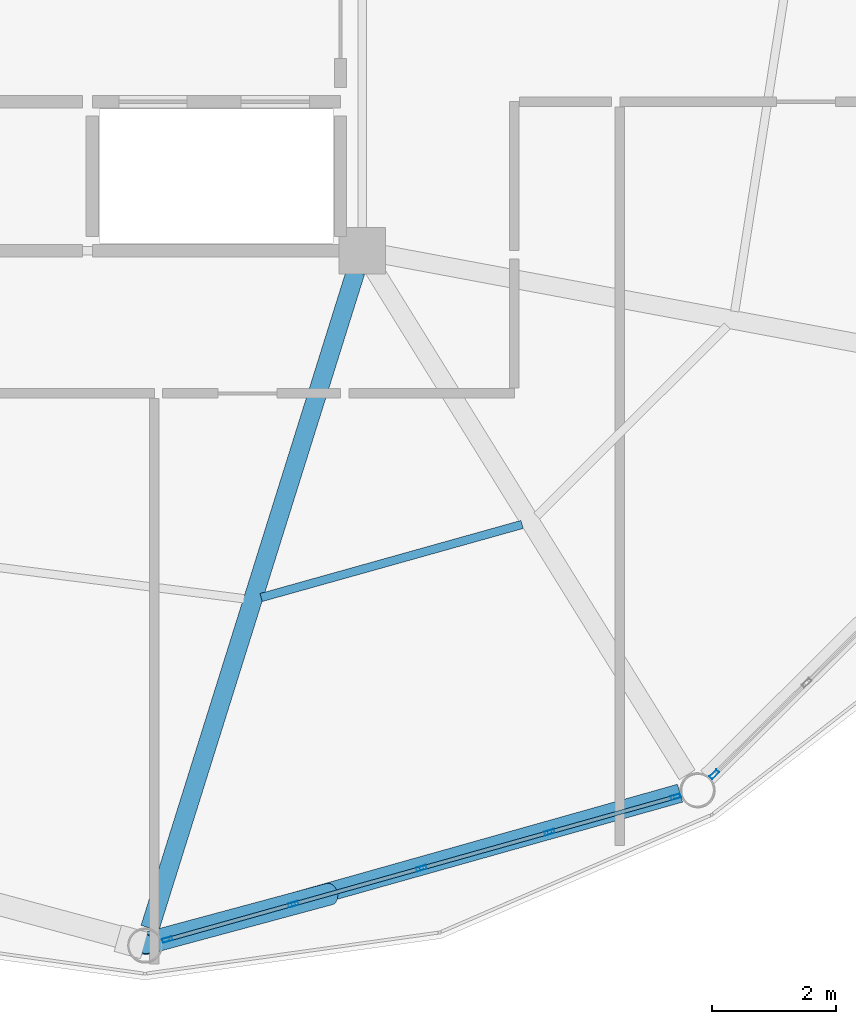
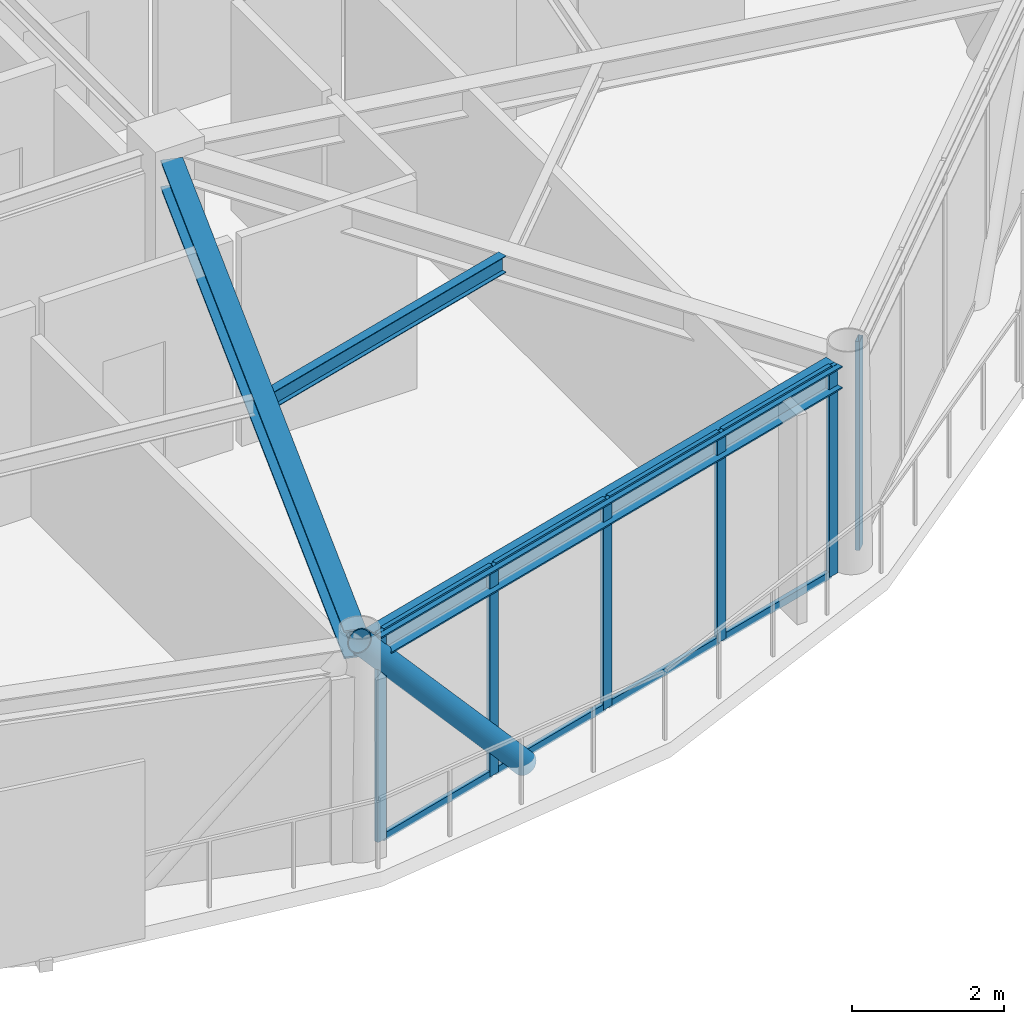
# One storey, part 6 of 25: 15 members, 3 beams, 2 elements without a shape of their own.
"""IFC4 building model written with IfcOpenShell, lengths in metres."""

from ifc_helpers import new_model, si_unit, direction, frame, origin, origin_2d, place, context, subcontext, project, spatial, hollow_rectangle, hollow_circle, i_section, extrude, material, layer, layer_set, material_profile, profile_set, type_object, element, aggregate, save


model = new_model("IFC4")

# Units and contexts
model_context = context("Model", 3, precision=1e-05, world=origin(), true_north=direction((0.0, 1.0)))
body_context = subcontext(model_context, "Body", "Model", "MODEL_VIEW")
ifc_project = project(units=[si_unit("LENGTHUNIT", "METRE"), si_unit("AREAUNIT", "SQUARE_METRE"), si_unit("VOLUMEUNIT", "CUBIC_METRE"), si_unit("PLANEANGLEUNIT", "RADIAN"), si_unit("MASSUNIT", "GRAM", prefix="KILO")], contexts=[model_context])

# Site, building, storey
site_placement = place(None, origin())
site = spatial("IfcSite", under=ifc_project, at=site_placement, CompositionType="ELEMENT")
building_placement = place(site_placement, origin())
building = spatial("IfcBuilding", under=site, at=building_placement, Name="Varnakorn Sky Granary", CompositionType="ELEMENT")
storey_placement = place(building_placement, frame((0.0, 0.0, 277.800048828125)))
storey = spatial("IfcBuildingStorey", under=building, at=storey_placement, Name="L71", CompositionType="ELEMENT", Elevation=277.800048828125)

# Beams
ifc_material_1 = material(Name="Steel S355JR", Category="steel")
ifc_material_profile_1 = material_profile(ifc_material_1, i_section(OverallWidth=0.300048828125, OverallDepth=0.449951171875, WebThickness=0.013916015625, FlangeThickness=0.02587890625, at=origin_2d()), Name="HE 450 B")
ifc_profile_set_1 = profile_set([ifc_material_profile_1], Name="Steel S355JR")
beam_type_1 = type_object("IfcBeamType", Name="BM-RAD-Z5", PredefinedType="BEAM", material=ifc_profile_set_1)
beam_1_placement = place(storey_placement, frame((8.243896484375, -6.938720703125, 3.135009765625), z_axis=(-0.299048709753, -0.954237847287, 0.0), x_axis=(0.954237847287, -0.299048709753, 0.0)))
element("IfcBeam", 1, at=beam_1_placement, inside=storey, type_object=beam_type_1, Name="Radial Floor Girder RG10 L71", PredefinedType="BEAM", context=body_context, shape_type="SweptSolid", body=[
    extrude(i_section(OverallWidth=0.300048828125, OverallDepth=0.449951171875, WebThickness=0.013916015625, FlangeThickness=0.02587890625, at=origin_2d()), origin(), (0.0, 0.0, 1.0), 11.084228515625),
])
ifc_material_profile_2 = material_profile(ifc_material_1, i_section(OverallWidth=0.135009765625, OverallDepth=0.27001953125, WebThickness=0.006591796875, FlangeThickness=0.01025390625, at=origin_2d()), Name="IPE 270")
ifc_profile_set_2 = profile_set([ifc_material_profile_2], Name="Steel S355JR")
beam_type_2 = type_object("IfcBeamType", Name="BM-SEC-Z5", PredefinedType="BEAM", material=ifc_profile_set_2)
beam_2_placement = place(storey_placement, frame((6.72119140625, -12.189453125, 3.224853515625), z_axis=(0.96293498421, 0.269733602253, 0.0), x_axis=(-0.269733602253, 0.96293498421, 0.0)))
element("IfcBeam", 2, at=beam_2_placement, inside=storey, type_object=beam_type_2, Name="Secondary Floor Chord Beam MSB10 L71", PredefinedType="BEAM", context=body_context, shape_type="SweptSolid", body=[
    extrude(i_section(OverallWidth=0.135009765625, OverallDepth=0.27001953125, WebThickness=0.006591796875, FlangeThickness=0.01025390625, at=origin_2d()), origin(), (0.0, 0.0, 1.0), 4.3671875),
])
ifc_material_profile_3 = material_profile(ifc_material_1, i_section(OverallWidth=0.300048828125, OverallDepth=0.360107421875, WebThickness=0.012451171875, FlangeThickness=0.0224609375, at=origin_2d()), Name="HE 360 B")
ifc_profile_set_3 = profile_set([ifc_material_profile_3], Name="Steel S355JR")
beam_type_3 = type_object("IfcBeamType", Name="BM-SPD-Z5", PredefinedType="SPANDREL", material=ifc_profile_set_3)
beam_3_placement = place(storey_placement, frame((5.1044921875, -17.6962890625, 3.179931640625), z_axis=(0.962618672341, 0.270860280699, 0.0), x_axis=(-0.270860280699, 0.962618672341, 0.0)))
element("IfcBeam", 3, at=beam_3_placement, inside=storey, type_object=beam_type_3, Name="Perimeter Spandrel Ring Beam RB10 L71", PredefinedType="SPANDREL", context=body_context, shape_type="SweptSolid", body=[
    extrude(i_section(OverallWidth=0.300048828125, OverallDepth=0.360107421875, WebThickness=0.012451171875, FlangeThickness=0.0224609375, at=origin_2d()), origin(), (0.0, 0.0, 1.0), 8.69091796875),
])

# Curtain wall, members
ifc_material_2 = material(Name="Anodised Bronze Aluminium Alloy 6063-T6", Category="aluminium")
ifc_layer = layer(ifc_material_2, 0.159912109375, Name="Anodised Bronze Aluminium Alloy 6063-T6")
ifc_layer_set = layer_set([ifc_layer], Name="Anodised Bronze Aluminium Alloy 6063-T6")
curtain_wall_type = type_object("IfcCurtainWallType", Name="CW-OFF-1", PredefinedType="USERDEFINED", material=ifc_layer_set)
curtain_wall_1_placement = place(storey_placement, origin())
curtain_wall_1 = element("IfcCurtainWall", 4, at=curtain_wall_1_placement, inside=storey, type_object=curtain_wall_type, Name="Unitised Curtain Wall CW6 CW-L71-B10", ObjectType="CURTAIN WALL", PredefinedType="USERDEFINED")
ifc_material_profile_4 = material_profile(ifc_material_2, hollow_rectangle(XDim=0.06494140625, YDim=0.159912109375, WallThickness=0.00341796875, at=origin_2d()), Name="ALU MULL 65x160")
ifc_profile_set_4 = profile_set([ifc_material_profile_4], Name="Anodised Bronze Aluminium Alloy 6063-T6")
member_type_1 = type_object("IfcMemberType", Name="CW-OFF-1-MULL", PredefinedType="MULLION", material=ifc_profile_set_4)
member_1_placement = place(storey_placement, frame((13.40087890625, -15.400634765625, 0.0), z_axis=(0.0, 0.0, 1.0), x_axis=(0.270369994564, -0.962756493637, 0.0)))
member_1 = element("IfcMember", 5, at=member_1_placement, type_object=member_type_1, Name="CW6 mullion 1", PredefinedType="MULLION", context=body_context, shape_type="SweptSolid", body=[
    extrude(hollow_rectangle(XDim=0.06494140625, YDim=0.159912109375, WallThickness=0.00341796875, at=origin_2d()), origin(), (0.0, 0.0, 1.0), 3.35986328125),
])
member_2_placement = place(storey_placement, frame((11.368408203125, -15.971435546875, 0.0), z_axis=(0.0, 0.0, 1.0), x_axis=(0.270369994564, -0.962756493637, 0.0)))
member_2 = element("IfcMember", 6, at=member_2_placement, type_object=member_type_1, Name="CW6 mullion 2", PredefinedType="MULLION", context=body_context, shape_type="SweptSolid", body=[
    extrude(hollow_rectangle(XDim=0.06494140625, YDim=0.159912109375, WallThickness=0.00341796875, at=origin_2d()), origin(), (0.0, 0.0, 1.0), 3.35986328125),
])
member_3_placement = place(storey_placement, frame((9.304443359375, -16.551025390625, 0.0), z_axis=(0.0, 0.0, 1.0), x_axis=(0.270369994564, -0.962756493637, 0.0)))
member_3 = element("IfcMember", 7, at=member_3_placement, type_object=member_type_1, Name="CW6 mullion 3", PredefinedType="MULLION", context=body_context, shape_type="SweptSolid", body=[
    extrude(hollow_rectangle(XDim=0.06494140625, YDim=0.159912109375, WallThickness=0.00341796875, at=origin_2d()), origin(), (0.0, 0.0, 1.0), 3.35986328125),
])
member_4_placement = place(storey_placement, frame((7.24072265625, -17.130615234375, 0.0), z_axis=(0.0, 0.0, 1.0), x_axis=(0.270369994564, -0.962756493637, 0.0)))
member_4 = element("IfcMember", 8, at=member_4_placement, type_object=member_type_1, Name="CW6 mullion 4", PredefinedType="MULLION", context=body_context, shape_type="SweptSolid", body=[
    extrude(hollow_rectangle(XDim=0.06494140625, YDim=0.159912109375, WallThickness=0.00341796875, at=origin_2d()), origin(), (0.0, 0.0, 1.0), 3.35986328125),
])
member_5_placement = place(storey_placement, frame((5.208251953125, -17.701416015625, 0.0), z_axis=(0.0, 0.0, 1.0), x_axis=(0.270369994564, -0.962756493637, 0.0)))
member_5 = element("IfcMember", 9, at=member_5_placement, type_object=member_type_1, Name="CW6 mullion 5", PredefinedType="MULLION", context=body_context, shape_type="SweptSolid", body=[
    extrude(hollow_rectangle(XDim=0.06494140625, YDim=0.159912109375, WallThickness=0.00341796875, at=origin_2d()), origin(), (0.0, 0.0, 1.0), 3.35986328125),
])

# Curtain wall, member
curtain_wall_2_placement = place(storey_placement, origin())
curtain_wall_2 = element("IfcCurtainWall", 10, at=curtain_wall_2_placement, inside=storey, type_object=curtain_wall_type, Name="Unitised Curtain Wall CW6 CW-L71-B11", ObjectType="CURTAIN WALL", PredefinedType="USERDEFINED")
member_6_placement = place(storey_placement, frame((14.023193359375, -15.038330078125, 0.0), z_axis=(0.0, 0.0, 1.0), x_axis=(0.704102293926, -0.71009855632, 0.0)))
member_6 = element("IfcMember", 11, at=member_6_placement, type_object=member_type_1, Name="CW6 mullion 5", PredefinedType="MULLION", context=body_context, shape_type="SweptSolid", body=[
    extrude(hollow_rectangle(XDim=0.06494140625, YDim=0.159912109375, WallThickness=0.00341796875, at=origin_2d()), origin(), (0.0, 0.0, 1.0), 3.35986328125),
])
aggregate(curtain_wall_2, [member_6])

# Member
ifc_material_profile_5 = material_profile(ifc_material_2, hollow_rectangle(XDim=0.06494140625, YDim=0.1201171875, WallThickness=0.00341796875, at=origin_2d()), Name="ALU TRAN 65x120")
ifc_profile_set_5 = profile_set([ifc_material_profile_5], Name="Anodised Bronze Aluminium Alloy 6063-T6")
member_type_2 = type_object("IfcMemberType", Name="CW-OFF-1-TRAN", PredefinedType="USERDEFINED", material=ifc_profile_set_5)
member_7_placement = place(storey_placement, frame((13.36962890625, -15.409423828125, 0.032470703125), z_axis=(-0.96275679273, -0.270368929524, 0.0), x_axis=(0.270368929524, -0.96275679273, 0.0)))
member_7 = element("IfcMember", 12, at=member_7_placement, type_object=member_type_2, Name="CW6 transom 1.1", ObjectType="TRANSOM", PredefinedType="USERDEFINED", context=body_context, shape_type="SweptSolid", body=[
    extrude(hollow_rectangle(XDim=0.06494140625, YDim=0.1201171875, WallThickness=0.00341796875, at=origin_2d()), origin(), (0.0, 0.0, 1.0), 2.046142578125),
])

member_8_placement = place(storey_placement, frame((13.36962890625, -15.409423828125, 3.327392578125), z_axis=(-0.96275679273, -0.270368929524, 0.0), x_axis=(0.270368929524, -0.96275679273, 0.0)))
member_8 = element("IfcMember", 13, at=member_8_placement, type_object=member_type_2, Name="CW6 transom 1.2", ObjectType="TRANSOM", PredefinedType="USERDEFINED", context=body_context, shape_type="SweptSolid", body=[
    extrude(hollow_rectangle(XDim=0.06494140625, YDim=0.1201171875, WallThickness=0.00341796875, at=origin_2d()), origin(), (0.0, 0.0, 1.0), 2.046142578125),
])

member_9_placement = place(storey_placement, frame((11.3369140625, -15.980224609375, 0.032470703125), z_axis=(-0.962755140746, -0.270374812004, 0.0), x_axis=(0.270374812004, -0.962755140746, 0.0)))
member_9 = element("IfcMember", 14, at=member_9_placement, type_object=member_type_2, Name="CW6 transom 2.1", ObjectType="TRANSOM", PredefinedType="USERDEFINED", context=body_context, shape_type="SweptSolid", body=[
    extrude(hollow_rectangle(XDim=0.06494140625, YDim=0.1201171875, WallThickness=0.00341796875, at=origin_2d()), origin(), (0.0, 0.0, 1.0), 2.07861328125),
])

member_10_placement = place(storey_placement, frame((11.3369140625, -15.980224609375, 3.327392578125), z_axis=(-0.962755140746, -0.270374812004, 0.0), x_axis=(0.270374812004, -0.962755140746, 0.0)))
member_10 = element("IfcMember", 15, at=member_10_placement, type_object=member_type_2, Name="CW6 transom 2.2", ObjectType="TRANSOM", PredefinedType="USERDEFINED", context=body_context, shape_type="SweptSolid", body=[
    extrude(hollow_rectangle(XDim=0.06494140625, YDim=0.1201171875, WallThickness=0.00341796875, at=origin_2d()), origin(), (0.0, 0.0, 1.0), 2.07861328125),
])

member_11_placement = place(storey_placement, frame((9.273193359375, -16.559814453125, 0.032470703125), z_axis=(-0.962755140746, -0.270374812004, 0.0), x_axis=(0.270374812004, -0.962755140746, 0.0)))
member_11 = element("IfcMember", 16, at=member_11_placement, type_object=member_type_2, Name="CW6 transom 3.1", ObjectType="TRANSOM", PredefinedType="USERDEFINED", context=body_context, shape_type="SweptSolid", body=[
    extrude(hollow_rectangle(XDim=0.06494140625, YDim=0.1201171875, WallThickness=0.00341796875, at=origin_2d()), origin(), (0.0, 0.0, 1.0), 2.07861328125),
])

member_12_placement = place(storey_placement, frame((9.273193359375, -16.559814453125, 3.327392578125), z_axis=(-0.962755140746, -0.270374812004, 0.0), x_axis=(0.270374812004, -0.962755140746, 0.0)))
member_12 = element("IfcMember", 17, at=member_12_placement, type_object=member_type_2, Name="CW6 transom 3.2", ObjectType="TRANSOM", PredefinedType="USERDEFINED", context=body_context, shape_type="SweptSolid", body=[
    extrude(hollow_rectangle(XDim=0.06494140625, YDim=0.1201171875, WallThickness=0.00341796875, at=origin_2d()), origin(), (0.0, 0.0, 1.0), 2.07861328125),
])

member_13_placement = place(storey_placement, frame((7.20947265625, -17.139404296875, 0.032470703125), z_axis=(-0.96275679273, -0.270368929524, 0.0), x_axis=(0.270368929524, -0.96275679273, 0.0)))
member_13 = element("IfcMember", 18, at=member_13_placement, type_object=member_type_2, Name="CW6 transom 4.1", ObjectType="TRANSOM", PredefinedType="USERDEFINED", context=body_context, shape_type="SweptSolid", body=[
    extrude(hollow_rectangle(XDim=0.06494140625, YDim=0.1201171875, WallThickness=0.00341796875, at=origin_2d()), origin(), (0.0, 0.0, 1.0), 2.046142578125),
])

member_14_placement = place(storey_placement, frame((7.20947265625, -17.139404296875, 3.327392578125), z_axis=(-0.96275679273, -0.270368929524, 0.0), x_axis=(0.270368929524, -0.96275679273, 0.0)))
member_14 = element("IfcMember", 19, at=member_14_placement, type_object=member_type_2, Name="CW6 transom 4.2", ObjectType="TRANSOM", PredefinedType="USERDEFINED", context=body_context, shape_type="SweptSolid", body=[
    extrude(hollow_rectangle(XDim=0.06494140625, YDim=0.1201171875, WallThickness=0.00341796875, at=origin_2d()), origin(), (0.0, 0.0, 1.0), 2.046142578125),
])

aggregate(curtain_wall_1, [member_1, member_2, member_3, member_4, member_5, member_7, member_8, member_9, member_10, member_11, member_12, member_13, member_14])

ifc_material_3 = material(Name="Steel S460M", Category="steel")
ifc_material_profile_6 = material_profile(ifc_material_3, hollow_circle(Radius=0.177734375, WallThickness=0.01416015625, at=origin_2d()), Name="CHS 355.6x14")
ifc_profile_set_6 = profile_set([ifc_material_profile_6], Name="Steel S460M")
member_type_3 = type_object("IfcMemberType", Name="MB-DIAG-T5", PredefinedType="BRACE", material=ifc_profile_set_6)
member_15_placement = place(storey_placement, frame((7.819580078125, -16.968017578125, -0.130126953125), z_axis=(-0.638370551746, -0.171992131717, 0.750267782389), x_axis=(0.260147132435, -0.96556898743, 0.0)))
element("IfcMember", 20, at=member_15_placement, inside=storey, type_object=member_type_3, Name="Perimeter CHS Diagrid Brace DG10 L71", PredefinedType="BRACE", context=body_context, shape_type="SweptSolid", body=[
    extrude(hollow_circle(Radius=0.177734375, WallThickness=0.01416015625, at=origin_2d()), origin(), (0.0, 0.0, 1.0), 4.651611328125),
])

save(model, "model.ifc")
